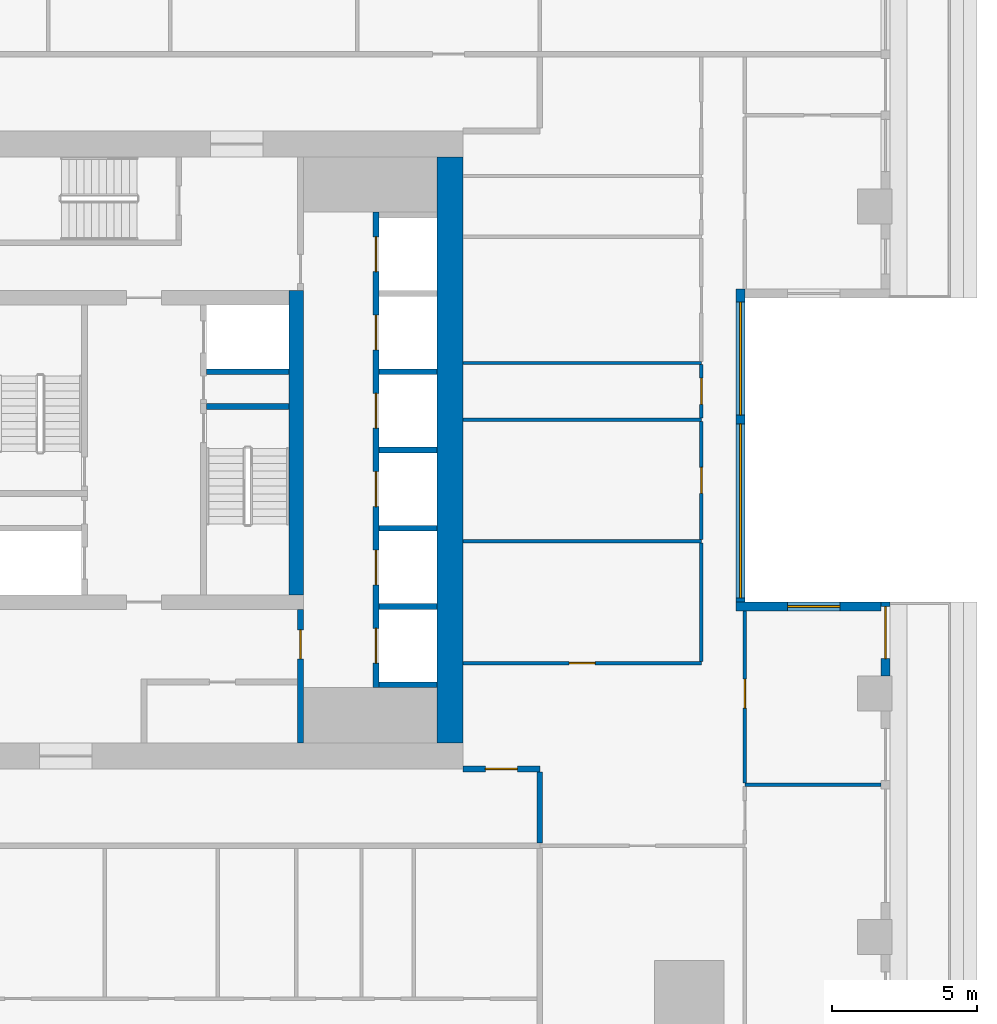
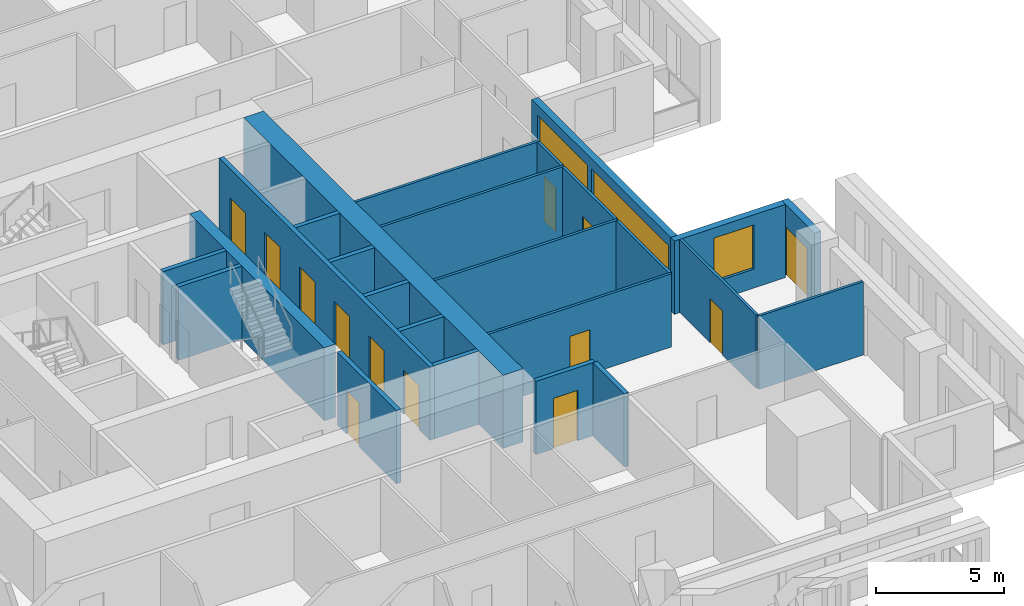
# One storey, part 5 of 15: 25 walls, 13 doors, 3 windows, 16 openings.
"""IFC4 building model written with IfcOpenShell, lengths in metres."""

from ifc_helpers import new_model, si_unit, direction, frame, frame_2d, origin, place, context, subcontext, project, spatial, rectangle, extrude, material, layer, layer_set, type_object, element, fill, save


model = new_model("IFC4")

# Units and contexts
model_context = context("Model", 3, precision=1e-05, world=origin(), true_north=direction((0.0, 1.0)))
body_context = subcontext(model_context, "Body", "Model", "MODEL_VIEW")
ifc_project = project(units=[si_unit("LENGTHUNIT", "METRE"), si_unit("AREAUNIT", "SQUARE_METRE"), si_unit("VOLUMEUNIT", "CUBIC_METRE"), si_unit("PLANEANGLEUNIT", "RADIAN"), si_unit("MASSUNIT", "GRAM", prefix="KILO")], contexts=[model_context])

# Site, building, storey
site_placement = place(None, origin())
site = spatial("IfcSite", under=ifc_project, at=site_placement, CompositionType="ELEMENT")
building_placement = place(site_placement, origin())
building = spatial("IfcBuilding", under=site, at=building_placement, Name="Khepri Terraces", CompositionType="ELEMENT")
storey_placement = place(building_placement, frame((0.0, 0.0, 200.10009765625)))
storey = spatial("IfcBuildingStorey", under=building, at=storey_placement, Name="L47", CompositionType="ELEMENT", Elevation=200.10009765625)

# Wall
ifc_material_1 = material(Name="Concrete C50/60", Category="concrete")
ifc_layer_1 = layer(ifc_material_1, 0.199951171875, Name="Concrete C50/60", Category="concrete")
ifc_layer_set_1 = layer_set([ifc_layer_1], Name="Concrete C50/60")
wall_type_1 = type_object("IfcWallType", Name="Core wall 200 C50/60", PredefinedType="SHEAR", material=ifc_layer_set_1)
wall_1_placement = place(storey_placement, frame((2.14990234375, 1.5, 0.0), z_axis=(0.0, 0.0, 1.0), x_axis=(1.0, 0.0, 0.0)))
element("IfcWall", 1, at=wall_1_placement, inside=storey, type_object=wall_type_1, Name="Core wall ST04 L47", PredefinedType="SHEAR", context=body_context, shape_type="SweptSolid", body=[
    extrude(rectangle(XDim=2.85009765625, YDim=0.199951171875, at=frame_2d((1.425048828125, 0.0))), origin(), (0.0, 0.0, 1.0), 3.47998046875),
])

# Wall, openings, doors
wall_2_placement = place(storey_placement, frame((8.0, -8.199951171875, 0.0), z_axis=(0.0, 0.0, 1.0), x_axis=(0.0, 1.0, 0.0)))
wall_2 = element("IfcWall", 2, at=wall_2_placement, inside=storey, type_object=wall_type_1, Name="Core wall SH02 L47", PredefinedType="SHEAR", context=body_context, shape_type="SweptSolid", body=[
    extrude(rectangle(XDim=16.39990234375, YDim=0.199951171875, at=frame_2d((8.199951171875, 0.0))), origin(), (0.0, 0.0, 1.0), 3.47998046875),
])
opening_1_placement = place(wall_2_placement, frame((0.85009765625, 0.0, 0.0)))
opening_1 = element("IfcOpeningElement", 3, at=opening_1_placement, cuts=wall_2, Name="Opening L47-C01", PredefinedType="OPENING", context=body_context, shape_type="SweptSolid", body=[
    extrude(rectangle(XDim=1.199951171875, YDim=2.10009765625, at=frame_2d((0.60009765625, 1.050048828125))), frame((0.0, 0.10986328125, 0.0), z_axis=(0.0, -1.0, 0.0), x_axis=(1.0, 0.0, 0.0)), (0.0, 0.0, 1.0), 0.219970703125),
])
opening_2_placement = place(wall_2_placement, frame((3.550048828125, 0.0, 0.0)))
opening_2 = element("IfcOpeningElement", 4, at=opening_2_placement, cuts=wall_2, Name="Opening L47-C02", PredefinedType="OPENING", context=body_context, shape_type="SweptSolid", body=[
    extrude(rectangle(XDim=1.199951171875, YDim=2.10009765625, at=frame_2d((0.60009765625, 1.050048828125))), frame((0.0, 0.10986328125, 0.0), z_axis=(0.0, -1.0, 0.0), x_axis=(1.0, 0.0, 0.0)), (0.0, 0.0, 1.0), 0.219970703125),
])
opening_3_placement = place(wall_2_placement, frame((6.25, 0.0, 0.0)))
opening_3 = element("IfcOpeningElement", 5, at=opening_3_placement, cuts=wall_2, Name="Opening L47-C03", PredefinedType="OPENING", context=body_context, shape_type="SweptSolid", body=[
    extrude(rectangle(XDim=1.199951171875, YDim=2.10009765625, at=frame_2d((0.60009765625, 1.050048828125))), frame((0.0, 0.10986328125, 0.0), z_axis=(0.0, -1.0, 0.0), x_axis=(1.0, 0.0, 0.0)), (0.0, 0.0, 1.0), 0.219970703125),
])
opening_4_placement = place(wall_2_placement, frame((8.949951171875, 0.0, 0.0)))
opening_4 = element("IfcOpeningElement", 6, at=opening_4_placement, cuts=wall_2, Name="Opening L47-C04", PredefinedType="OPENING", context=body_context, shape_type="SweptSolid", body=[
    extrude(rectangle(XDim=1.199951171875, YDim=2.10009765625, at=frame_2d((0.60009765625, 1.050048828125))), frame((0.0, 0.10986328125, 0.0), z_axis=(0.0, -1.0, 0.0), x_axis=(1.0, 0.0, 0.0)), (0.0, 0.0, 1.0), 0.219970703125),
])
opening_5_placement = place(wall_2_placement, frame((11.64990234375, 0.0, 0.0)))
opening_5 = element("IfcOpeningElement", 7, at=opening_5_placement, cuts=wall_2, Name="Opening L47-C05", PredefinedType="OPENING", context=body_context, shape_type="SweptSolid", body=[
    extrude(rectangle(XDim=1.199951171875, YDim=2.10009765625, at=frame_2d((0.60009765625, 1.050048828125))), frame((0.0, 0.10986328125, 0.0), z_axis=(0.0, -1.0, 0.0), x_axis=(1.0, 0.0, 0.0)), (0.0, 0.0, 1.0), 0.219970703125),
])
opening_6_placement = place(wall_2_placement, frame((14.35009765625, 0.0, 0.0)))
opening_6 = element("IfcOpeningElement", 8, at=opening_6_placement, cuts=wall_2, Name="Opening L47-C06", PredefinedType="OPENING", context=body_context, shape_type="SweptSolid", body=[
    extrude(rectangle(XDim=1.199951171875, YDim=2.10009765625, at=frame_2d((0.60009765625, 1.050048828125))), frame((0.0, 0.10986328125, 0.0), z_axis=(0.0, -1.0, 0.0), x_axis=(1.0, 0.0, 0.0)), (0.0, 0.0, 1.0), 0.219970703125),
])
ifc_material_2 = material(Name="Stainless steel 304", Category="steel")
door_type_1 = type_object("IfcDoorType", Name="DR-CORE-LANDING-1200", OperationType="NOTDEFINED", PredefinedType="DOOR", material=ifc_material_2)
door_1_placement = place(opening_1_placement, origin())
door_1 = element("IfcDoor", 9, at=door_1_placement, inside=storey, type_object=door_type_1, Name="Lift landing door L47-C01", OperationType="SLIDING_TO_LEFT", OverallHeight=2.10009765625, OverallWidth=1.199951171875, PredefinedType="DOOR", context=body_context, shape_type="SweptSolid", body=[
    extrude(rectangle(XDim=1.199951171875, YDim=2.10009765625, at=frame_2d((0.60009765625, 1.050048828125))), frame((0.0, 0.02490234375, 0.0), z_axis=(0.0, -1.0, 0.0), x_axis=(1.0, 0.0, 0.0)), (0.0, 0.0, 1.0), 0.050048828125),
])
fill(opening_1, door_1)
door_2_placement = place(opening_2_placement, origin())
door_2 = element("IfcDoor", 10, at=door_2_placement, inside=storey, type_object=door_type_1, Name="Lift landing door L47-C02", OperationType="SLIDING_TO_LEFT", OverallHeight=2.10009765625, OverallWidth=1.199951171875, PredefinedType="DOOR", context=body_context, shape_type="SweptSolid", body=[
    extrude(rectangle(XDim=1.199951171875, YDim=2.10009765625, at=frame_2d((0.60009765625, 1.050048828125))), frame((0.0, 0.02490234375, 0.0), z_axis=(0.0, -1.0, 0.0), x_axis=(1.0, 0.0, 0.0)), (0.0, 0.0, 1.0), 0.050048828125),
])
fill(opening_2, door_2)
door_3_placement = place(opening_3_placement, origin())
door_3 = element("IfcDoor", 11, at=door_3_placement, inside=storey, type_object=door_type_1, Name="Lift landing door L47-C03", OperationType="SLIDING_TO_LEFT", OverallHeight=2.10009765625, OverallWidth=1.199951171875, PredefinedType="DOOR", context=body_context, shape_type="SweptSolid", body=[
    extrude(rectangle(XDim=1.199951171875, YDim=2.10009765625, at=frame_2d((0.60009765625, 1.050048828125))), frame((0.0, 0.02490234375, 0.0), z_axis=(0.0, -1.0, 0.0), x_axis=(1.0, 0.0, 0.0)), (0.0, 0.0, 1.0), 0.050048828125),
])
fill(opening_3, door_3)
door_4_placement = place(opening_4_placement, origin())
door_4 = element("IfcDoor", 12, at=door_4_placement, inside=storey, type_object=door_type_1, Name="Lift landing door L47-C04", OperationType="SLIDING_TO_LEFT", OverallHeight=2.10009765625, OverallWidth=1.199951171875, PredefinedType="DOOR", context=body_context, shape_type="SweptSolid", body=[
    extrude(rectangle(XDim=1.199951171875, YDim=2.10009765625, at=frame_2d((0.60009765625, 1.050048828125))), frame((0.0, 0.02490234375, 0.0), z_axis=(0.0, -1.0, 0.0), x_axis=(1.0, 0.0, 0.0)), (0.0, 0.0, 1.0), 0.050048828125),
])
fill(opening_4, door_4)
door_5_placement = place(opening_5_placement, origin())
door_5 = element("IfcDoor", 13, at=door_5_placement, inside=storey, type_object=door_type_1, Name="Lift landing door L47-C05", OperationType="SLIDING_TO_LEFT", OverallHeight=2.10009765625, OverallWidth=1.199951171875, PredefinedType="DOOR", context=body_context, shape_type="SweptSolid", body=[
    extrude(rectangle(XDim=1.199951171875, YDim=2.10009765625, at=frame_2d((0.60009765625, 1.050048828125))), frame((0.0, 0.02490234375, 0.0), z_axis=(0.0, -1.0, 0.0), x_axis=(1.0, 0.0, 0.0)), (0.0, 0.0, 1.0), 0.050048828125),
])
fill(opening_5, door_5)
door_6_placement = place(opening_6_placement, origin())
door_6 = element("IfcDoor", 14, at=door_6_placement, inside=storey, type_object=door_type_1, Name="Lift landing door L47-C06", OperationType="SLIDING_TO_LEFT", OverallHeight=2.10009765625, OverallWidth=1.199951171875, PredefinedType="DOOR", context=body_context, shape_type="SweptSolid", body=[
    extrude(rectangle(XDim=1.199951171875, YDim=2.10009765625, at=frame_2d((0.60009765625, 1.050048828125))), frame((0.0, 0.02490234375, 0.0), z_axis=(0.0, -1.0, 0.0), x_axis=(1.0, 0.0, 0.0)), (0.0, 0.0, 1.0), 0.050048828125),
])
fill(opening_6, door_6)

# Walls
for number, where, z_axis, x_axis, name in (
    (15, (8.10009765625, -8.10009765625, 0.0), (0.0, 0.0, 1.0), (1.0, 0.0, 0.0), "Core wall SH03 L47"),
    (16, (8.10009765625, -5.39990234375, 0.0), (0.0, 0.0, 1.0), (1.0, 0.0, 0.0), "Core wall SH04 L47"),
    (17, (8.10009765625, -2.699951171875, 0.0), (0.0, 0.0, 1.0), (1.0, 0.0, 0.0), "Core wall SH08 L47"),
    (18, (8.10009765625, 0.0, 0.0), (0.0, 0.0, 1.0), (1.0, 0.0, 0.0), "Core wall SH09 L47"),
):
    element("IfcWall", number, at=place(storey_placement, frame(where, z_axis=z_axis, x_axis=x_axis)), inside=storey, type_object=wall_type_1, Name=name, PredefinedType="SHEAR", context=body_context, shape_type="SweptSolid", body=[
        extrude(rectangle(XDim=2.0, YDim=0.199951171875, at=frame_2d((1.0, 0.0))), origin(), (0.0, 0.0, 1.0), 3.47998046875),
    ])
wall_3_placement = place(storey_placement, frame((2.14990234375, 2.699951171875, 0.0), z_axis=(0.0, 0.0, 1.0), x_axis=(1.0, 0.0, 0.0)))
element("IfcWall", 19, at=wall_3_placement, inside=storey, type_object=wall_type_1, Name="Core wall SH12 L47", PredefinedType="SHEAR", context=body_context, shape_type="SweptSolid", body=[
    extrude(rectangle(XDim=2.85009765625, YDim=0.199951171875, at=frame_2d((1.425048828125, 0.0))), origin(), (0.0, 0.0, 1.0), 3.47998046875),
])
wall_4_placement = place(storey_placement, frame((8.10009765625, 2.699951171875, 0.0), z_axis=(0.0, 0.0, 1.0), x_axis=(1.0, 0.0, 0.0)))
element("IfcWall", 20, at=wall_4_placement, inside=storey, type_object=wall_type_1, Name="Core wall SH13 L47", PredefinedType="SHEAR", context=body_context, shape_type="SweptSolid", body=[
    extrude(rectangle(XDim=2.0, YDim=0.199951171875, at=frame_2d((1.0, 0.0))), origin(), (0.0, 0.0, 1.0), 3.47998046875),
])
ifc_layer_2 = layer(ifc_material_1, 0.5, Name="Concrete C50/60", Category="concrete")
ifc_layer_set_2 = layer_set([ifc_layer_2], Name="Concrete C50/60")
wall_type_2 = type_object("IfcWallType", Name="Core wall 500 C50/60", PredefinedType="SHEAR", material=ifc_layer_set_2)
wall_5_placement = place(storey_placement, frame((5.25, -5.0, 0.0), z_axis=(0.0, 0.0, 1.0), x_axis=(0.0, 1.0, 0.0)))
element("IfcWall", 21, at=wall_5_placement, inside=storey, type_object=wall_type_2, Name="Core wall BX03 L47", PredefinedType="SHEAR", context=body_context, shape_type="SweptSolid", body=[
    extrude(rectangle(XDim=10.5, YDim=0.5, at=frame_2d((5.25, 0.0))), origin(), (0.0, 0.0, 1.0), 3.47998046875),
])
ifc_layer_3 = layer(ifc_material_1, 0.89990234375, Name="Concrete C50/60", Category="concrete")
ifc_layer_set_3 = layer_set([ifc_layer_3], Name="Concrete C50/60")
wall_type_3 = type_object("IfcWallType", Name="Core wall 900 C50/60", PredefinedType="SHEAR", material=ifc_layer_set_3)
wall_6_placement = place(storey_placement, frame((10.550048828125, -10.10009765625, 0.0), z_axis=(0.0, 0.0, 1.0), x_axis=(0.0, 1.0, 0.0)))
element("IfcWall", 22, at=wall_6_placement, inside=storey, type_object=wall_type_3, Name="Core wall OW-E L47", PredefinedType="SHEAR", context=body_context, shape_type="SweptSolid", body=[
    extrude(rectangle(XDim=20.2001953125, YDim=0.89990234375, at=frame_2d((10.10009765625, 0.0))), origin(), (0.0, 0.0, 1.0), 3.47998046875),
])

# Wall, opening, door
ifc_material_3 = material(Name="Fire-rated gypsum board partition")
ifc_layer_4 = layer(ifc_material_3, 0.199951171875, Name="Fire-rated gypsum board partition")
ifc_layer_set_4 = layer_set([ifc_layer_4], Name="Fire-rated gypsum board partition")
wall_type_4 = type_object("IfcWallType", Name="WL-CORE-PART-200", PredefinedType="PARTITIONING", material=ifc_layer_set_4)
wall_7_placement = place(storey_placement, frame((5.39990234375, -10.10009765625, 0.0), z_axis=(0.0, 0.0, 1.0), x_axis=(0.0, 1.0, 0.0)))
wall_7 = element("IfcWall", 23, at=wall_7_placement, inside=storey, type_object=wall_type_4, Name="Core partition PT03 L47", PredefinedType="PARTITIONING", context=body_context, shape_type="SweptSolid", body=[
    extrude(rectangle(XDim=4.60009765625, YDim=0.199951171875, at=frame_2d((2.300048828125, 0.0))), origin(), (0.0, 0.0, 1.0), 3.47998046875),
])
opening_7_placement = place(wall_7_placement, frame((2.89990234375, 0.0, 0.0)))
opening_7 = element("IfcOpeningElement", 24, at=opening_7_placement, cuts=wall_7, Name="Opening L47-C19", PredefinedType="OPENING", context=body_context, shape_type="SweptSolid", body=[
    extrude(rectangle(XDim=1.0, YDim=2.10009765625, at=frame_2d((0.5, 1.050048828125))), frame((0.0, 0.10986328125, 0.0), z_axis=(0.0, -1.0, 0.0), x_axis=(1.0, 0.0, 0.0)), (0.0, 0.0, 1.0), 0.219970703125),
])
ifc_material_4 = material(Name="Painted steel", Category="steel")
door_type_2 = type_object("IfcDoorType", Name="DR-CORE-LOBBY-1000", OperationType="NOTDEFINED", PredefinedType="DOOR", material=ifc_material_4)
door_7_placement = place(opening_7_placement, origin())
door_7 = element("IfcDoor", 25, at=door_7_placement, inside=storey, type_object=door_type_2, Name="Lobby door L47-C19", OperationType="SINGLE_SWING_RIGHT", OverallHeight=2.10009765625, OverallWidth=1.0, PredefinedType="DOOR", context=body_context, shape_type="SweptSolid", body=[
    extrude(rectangle(XDim=1.0, YDim=2.10009765625, at=frame_2d((0.5, 1.050048828125))), frame((0.0, 0.02490234375, 0.0), z_axis=(0.0, -1.0, 0.0), x_axis=(1.0, 0.0, 0.0)), (0.0, 0.0, 1.0), 0.050048828125),
])
fill(opening_7, door_7)

# Wall
ifc_material_5 = material(Name="Fire-rated gypsum plasterboard partition, mineral wool")
ifc_layer_5 = layer(ifc_material_5, 0.199951171875, Name="Fire-rated gypsum plasterboard partition, mineral wool")
ifc_layer_set_5 = layer_set([ifc_layer_5], Name="Fire-rated gypsum plasterboard partition, mineral wool")
wall_type_5 = type_object("IfcWallType", Name="WL-CORR-200", PredefinedType="PARTITIONING", material=ifc_layer_set_5)
wall_8_placement = place(storey_placement, frame((13.64990234375, -13.550048828125, 0.0), z_axis=(0.0, 0.0, 1.0), x_axis=(0.0, 1.0, 0.0)))
element("IfcWall", 26, at=wall_8_placement, inside=storey, type_object=wall_type_5, Name="Partition P-026 L47", PredefinedType="PARTITIONING", context=body_context, shape_type="SweptSolid", body=[
    extrude(rectangle(XDim=2.449951171875, YDim=0.199951171875, at=frame_2d((1.22509765625, 0.0))), origin(), (0.0, 0.0, 1.0), 3.47998046875),
])

# Wall, opening, door
wall_9_placement = place(storey_placement, frame((11.0, -11.0, 0.0), z_axis=(0.0, 0.0, 1.0), x_axis=(1.0, 0.0, 0.0)))
wall_9 = element("IfcWall", 27, at=wall_9_placement, inside=storey, type_object=wall_type_5, Name="Partition P-033 L47", PredefinedType="PARTITIONING", context=body_context, shape_type="SweptSolid", body=[
    extrude(rectangle(XDim=2.64990234375, YDim=0.199951171875, at=frame_2d((1.324951171875, 0.0))), origin(), (0.0, 0.0, 1.0), 3.47998046875),
])
opening_8_placement = place(wall_9_placement, frame((0.77490234375, 0.0, 0.0)))
opening_8 = element("IfcOpeningElement", 28, at=opening_8_placement, cuts=wall_9, Name="Opening D1", PredefinedType="OPENING", context=body_context, shape_type="SweptSolid", body=[
    extrude(rectangle(XDim=1.10009765625, YDim=2.39990234375, at=frame_2d((0.550048828125, 1.199951171875))), frame((0.0, 0.10986328125, 0.0), z_axis=(0.0, -1.0, 0.0), x_axis=(1.0, 0.0, 0.0)), (0.0, 0.0, 1.0), 0.219970703125),
])
ifc_material_6 = material(Name="Solid-core timber door leaf, flat entrance door", Category="wood")
door_type_3 = type_object("IfcDoorType", Name="DR-ENT-1100", OperationType="NOTDEFINED", PredefinedType="DOOR", material=ifc_material_6)
door_8_placement = place(opening_8_placement, origin())
door_8 = element("IfcDoor", 29, at=door_8_placement, inside=storey, type_object=door_type_3, Name="Flat B1 entrance door", OperationType="SINGLE_SWING_LEFT", OverallHeight=2.39990234375, OverallWidth=1.10009765625, PredefinedType="DOOR", context=body_context, shape_type="SweptSolid", body=[
    extrude(rectangle(XDim=1.10009765625, YDim=2.39990234375, at=frame_2d((0.550048828125, 1.199951171875))), frame((0.0, 0.02490234375, 0.0), z_axis=(0.0, -1.0, 0.0), x_axis=(1.0, 0.0, 0.0)), (0.0, 0.0, 1.0), 0.050048828125),
])
fill(opening_8, door_8)

ifc_material_7 = material(Name="Precast concrete C50/60 warm stone", Category="masonry")
ifc_layer_6 = layer(ifc_material_7, 0.300048828125, Name="Precast concrete C50/60 warm stone", Category="masonry")
ifc_layer_set_6 = layer_set([ifc_layer_6], Name="Precast concrete C50/60 warm stone")
wall_type_6 = type_object("IfcWallType", Name="WL-EXT-PRECAST-300", PredefinedType="STANDARD", material=ifc_layer_set_6)
wall_10_placement = place(storey_placement, frame((25.570068359375, -7.800048828125, 0.0), z_axis=(0.0, 0.0, 1.0), x_axis=(0.0, 1.0, 0.0)))
wall_10 = element("IfcWall", 30, at=wall_10_placement, inside=storey, type_object=wall_type_6, Name="External wall L47 E", PredefinedType="STANDARD", context=body_context, shape_type="SweptSolid", body=[
    extrude(rectangle(XDim=2.550048828125, YDim=0.300048828125, at=frame_2d((1.27490234375, 0.0))), origin(), (0.0, 0.0, 1.0), 3.47998046875),
])
opening_9_placement = place(wall_10_placement, frame((0.60009765625, 0.0, 0.0)))
opening_9 = element("IfcOpeningElement", 31, at=opening_9_placement, cuts=wall_10, Name="Opening ED-L47-04", PredefinedType="OPENING", context=body_context, shape_type="SweptSolid", body=[
    extrude(rectangle(XDim=1.800048828125, YDim=2.39990234375, at=frame_2d((0.89990234375, 1.199951171875))), frame((0.0, 0.16015625, 0.0), z_axis=(0.0, -1.0, 0.0), x_axis=(1.0, 0.0, 0.0)), (0.0, 0.0, 1.0), 0.320068359375),
])
ifc_material_8 = material(Name="Anodised aluminium bronze glazed door", Category="aluminium")
door_type_4 = type_object("IfcDoorType", Name="DR-BAL-SLIDE-1800x2400", OperationType="NOTDEFINED", PredefinedType="DOOR", material=ifc_material_8)
door_9_placement = place(opening_9_placement, origin())
door_9 = element("IfcDoor", 32, at=door_9_placement, inside=storey, type_object=door_type_4, Name="Balcony door L47 E", OperationType="SLIDING_TO_LEFT", OverallHeight=2.39990234375, OverallWidth=1.800048828125, PredefinedType="DOOR", context=body_context, shape_type="SweptSolid", body=[
    extrude(rectangle(XDim=1.800048828125, YDim=2.39990234375, at=frame_2d((0.89990234375, 1.199951171875))), frame((0.0, 0.02490234375, 0.0), z_axis=(0.0, -1.0, 0.0), x_axis=(1.0, 0.0, 0.0)), (0.0, 0.0, 1.0), 0.050048828125),
])
fill(opening_9, door_9)

# Wall, opening, window
wall_11_placement = place(storey_placement, frame((25.419921875, -5.39990234375, 0.0), z_axis=(0.0, 0.0, 1.0), x_axis=(-1.0, 0.0, 0.0)))
wall_11 = element("IfcWall", 33, at=wall_11_placement, inside=storey, type_object=wall_type_6, Name="External wall L47 N", PredefinedType="STANDARD", context=body_context, shape_type="SweptSolid", body=[
    extrude(rectangle(XDim=5.0, YDim=0.300048828125, at=frame_2d((2.5, 0.0))), origin(), (0.0, 0.0, 1.0), 3.47998046875),
])
opening_10_placement = place(wall_11_placement, frame((1.419921875, 0.0, 0.89990234375)))
opening_10 = element("IfcOpeningElement", 34, at=opening_10_placement, cuts=wall_11, Name="Opening W1", PredefinedType="OPENING", context=body_context, shape_type="SweptSolid", body=[
    extrude(rectangle(XDim=1.800048828125, YDim=2.10009765625, at=frame_2d((0.89990234375, 1.050048828125))), frame((0.0, 0.16015625, 0.0), z_axis=(0.0, -1.0, 0.0), x_axis=(1.0, 0.0, 0.0)), (0.0, 0.0, 1.0), 0.320068359375),
])
ifc_material_9 = material(Name="Clear glass", Category="glass")
window_type_1 = type_object("IfcWindowType", Name="WIN-RES-1800x2100", PartitioningType="SINGLE_PANEL", PredefinedType="WINDOW", material=ifc_material_9)
window_1_placement = place(opening_10_placement, origin())
window_1 = element("IfcWindow", 35, at=window_1_placement, inside=storey, type_object=window_type_1, Name="Window L47 N", OverallHeight=2.10009765625, OverallWidth=1.800048828125, PartitioningType="SINGLE_PANEL", PredefinedType="WINDOW", context=body_context, shape_type="SweptSolid", body=[
    extrude(rectangle(XDim=1.800048828125, YDim=2.10009765625, at=frame_2d((0.89990234375, 1.050048828125))), frame((0.0, 0.030029296875, 0.0), z_axis=(0.0, -1.0, 0.0), x_axis=(1.0, 0.0, 0.0)), (0.0, 0.0, 1.0), 0.06005859375),
])
fill(opening_10, window_1)

# Wall, openings, windows
wall_12_placement = place(storey_placement, frame((20.570068359375, -5.25, 0.0), z_axis=(0.0, 0.0, 1.0), x_axis=(0.0, 1.0, 0.0)))
wall_12 = element("IfcWall", 36, at=wall_12_placement, inside=storey, type_object=wall_type_6, Name="External wall L47 E", PredefinedType="STANDARD", context=body_context, shape_type="SweptSolid", body=[
    extrude(rectangle(XDim=10.800048828125, YDim=0.300048828125, at=frame_2d((5.39990234375, 0.0))), origin(), (0.0, 0.0, 1.0), 3.47998046875),
])
opening_11_placement = place(wall_12_placement, frame((0.14990234375, 0.0, 0.89990234375)))
opening_11 = element("IfcOpeningElement", 37, at=opening_11_placement, cuts=wall_12, Name="Opening W3", PredefinedType="OPENING", context=body_context, shape_type="SweptSolid", body=[
    extrude(rectangle(XDim=6.0, YDim=2.10009765625, at=frame_2d((3.0, 1.050048828125))), frame((0.0, 0.16015625, 0.0), z_axis=(0.0, -1.0, 0.0), x_axis=(1.0, 0.0, 0.0)), (0.0, 0.0, 1.0), 0.320068359375),
])
opening_12_placement = place(wall_12_placement, frame((6.449951171875, 0.0, 0.89990234375)))
opening_12 = element("IfcOpeningElement", 38, at=opening_12_placement, cuts=wall_12, Name="Opening W2", PredefinedType="OPENING", context=body_context, shape_type="SweptSolid", body=[
    extrude(rectangle(XDim=3.89990234375, YDim=2.10009765625, at=frame_2d((1.949951171875, 1.050048828125))), frame((0.0, 0.16015625, 0.0), z_axis=(0.0, -1.0, 0.0), x_axis=(1.0, 0.0, 0.0)), (0.0, 0.0, 1.0), 0.320068359375),
])
window_type_2 = type_object("IfcWindowType", Name="WIN-RES-3900x2100", PartitioningType="SINGLE_PANEL", PredefinedType="WINDOW", material=ifc_material_9)
window_2_placement = place(opening_12_placement, origin())
window_2 = element("IfcWindow", 39, at=window_2_placement, inside=storey, type_object=window_type_2, Name="Window L47 E", OverallHeight=2.10009765625, OverallWidth=3.89990234375, PartitioningType="SINGLE_PANEL", PredefinedType="WINDOW", context=body_context, shape_type="SweptSolid", body=[
    extrude(rectangle(XDim=3.89990234375, YDim=2.10009765625, at=frame_2d((1.949951171875, 1.050048828125))), frame((0.0, 0.030029296875, 0.0), z_axis=(0.0, -1.0, 0.0), x_axis=(1.0, 0.0, 0.0)), (0.0, 0.0, 1.0), 0.06005859375),
])
fill(opening_12, window_2)
window_type_3 = type_object("IfcWindowType", Name="WIN-RES-6000x2100", PartitioningType="SINGLE_PANEL", PredefinedType="WINDOW", material=ifc_material_9)
window_3_placement = place(opening_11_placement, origin())
window_3 = element("IfcWindow", 40, at=window_3_placement, inside=storey, type_object=window_type_3, Name="Window L47 E", OverallHeight=2.10009765625, OverallWidth=6.0, PartitioningType="SINGLE_PANEL", PredefinedType="WINDOW", context=body_context, shape_type="SweptSolid", body=[
    extrude(rectangle(XDim=6.0, YDim=2.10009765625, at=frame_2d((3.0, 1.050048828125))), frame((0.0, 0.030029296875, 0.0), z_axis=(0.0, -1.0, 0.0), x_axis=(1.0, 0.0, 0.0)), (0.0, 0.0, 1.0), 0.06005859375),
])
fill(opening_11, window_3)

# Wall
ifc_material_10 = material(Name="Gypsum plasterboard partition")
ifc_layer_7 = layer(ifc_material_10, 0.1201171875, Name="Gypsum plasterboard partition")
ifc_layer_set_7 = layer_set([ifc_layer_7], Name="Gypsum plasterboard partition")
wall_type_7 = type_object("IfcWallType", Name="WL-PART-120", PredefinedType="PARTITIONING", material=ifc_layer_set_7)
wall_13_placement = place(storey_placement, frame((20.719970703125, -11.550048828125, 0.0), z_axis=(0.0, 0.0, 1.0), x_axis=(1.0, 0.0, 0.0)))
element("IfcWall", 41, at=wall_13_placement, inside=storey, type_object=wall_type_7, Name="Partition P-029 L47", PredefinedType="PARTITIONING", context=body_context, shape_type="SweptSolid", body=[
    extrude(rectangle(XDim=4.699951171875, YDim=0.1201171875, at=frame_2d((2.35009765625, 0.0))), origin(), (0.0, 0.0, 1.0), 3.47998046875),
])

# Wall, opening, door
wall_14_placement = place(storey_placement, frame((20.719970703125, -11.489990234375, 0.0), z_axis=(0.0, 0.0, 1.0), x_axis=(0.0, 1.0, 0.0)))
wall_14 = element("IfcWall", 42, at=wall_14_placement, inside=storey, type_object=wall_type_7, Name="Partition P-032 L47", PredefinedType="PARTITIONING", context=body_context, shape_type="SweptSolid", body=[
    extrude(rectangle(XDim=5.93994140625, YDim=0.1201171875, at=frame_2d((2.969970703125, 0.0))), origin(), (0.0, 0.0, 1.0), 3.47998046875),
])
opening_13_placement = place(wall_14_placement, frame((2.590087890625, 0.0, 0.0)))
opening_13 = element("IfcOpeningElement", 43, at=opening_13_placement, cuts=wall_14, Name="Opening D2", PredefinedType="OPENING", context=body_context, shape_type="SweptSolid", body=[
    extrude(rectangle(XDim=1.0, YDim=2.10009765625, at=frame_2d((0.5, 1.050048828125))), frame((0.0, 0.070068359375, 0.0), z_axis=(0.0, -1.0, 0.0), x_axis=(1.0, 0.0, 0.0)), (0.0, 0.0, 1.0), 0.14013671875),
])
ifc_material_11 = material(Name="Timber door leaf, living room door", Category="wood")
door_type_5 = type_object("IfcDoorType", Name="DR-INT-1000", OperationType="NOTDEFINED", PredefinedType="DOOR", material=ifc_material_11)
door_10_placement = place(opening_13_placement, frame((1.0, 0.0, 0.0), z_axis=(0.0, 0.0, 1.0), x_axis=(-1.0, 0.0, 0.0)))
door_10 = element("IfcDoor", 44, at=door_10_placement, inside=storey, type_object=door_type_5, Name="Door Sun Lounge", OperationType="SINGLE_SWING_LEFT", OverallHeight=2.10009765625, OverallWidth=1.0, PredefinedType="DOOR", context=body_context, shape_type="SweptSolid", body=[
    extrude(rectangle(XDim=1.0, YDim=2.10009765625, at=frame_2d((0.5, 1.050048828125))), frame((0.0, 0.02490234375, 0.0), z_axis=(0.0, -1.0, 0.0), x_axis=(1.0, 0.0, 0.0)), (0.0, 0.0, 1.0), 0.050048828125),
])
fill(opening_13, door_10)

wall_15_placement = place(storey_placement, frame((11.0, -7.35009765625, 0.0), z_axis=(0.0, 0.0, 1.0), x_axis=(1.0, 0.0, 0.0)))
wall_15 = element("IfcWall", 45, at=wall_15_placement, inside=storey, type_object=wall_type_7, Name="Partition P-037 L47", PredefinedType="PARTITIONING", context=body_context, shape_type="SweptSolid", body=[
    extrude(rectangle(XDim=8.219970703125, YDim=0.1201171875, at=frame_2d((4.10986328125, 0.0))), origin(), (0.0, 0.0, 1.0), 3.47998046875),
])
opening_14_placement = place(wall_15_placement, frame((3.659912109375, 0.0, 0.0)))
opening_14 = element("IfcOpeningElement", 46, at=opening_14_placement, cuts=wall_15, Name="Opening D3", PredefinedType="OPENING", context=body_context, shape_type="SweptSolid", body=[
    extrude(rectangle(XDim=0.89990234375, YDim=2.10009765625, at=frame_2d((0.449951171875, 1.050048828125))), frame((0.0, 0.070068359375, 0.0), z_axis=(0.0, -1.0, 0.0), x_axis=(1.0, 0.0, 0.0)), (0.0, 0.0, 1.0), 0.14013671875),
])
ifc_material_12 = material(Name="Timber door leaf", Category="wood")
door_type_6 = type_object("IfcDoorType", Name="DR-INT-900", OperationType="NOTDEFINED", PredefinedType="DOOR", material=ifc_material_12)
door_11_placement = place(opening_14_placement, origin())
door_11 = element("IfcDoor", 47, at=door_11_placement, inside=storey, type_object=door_type_6, Name="Door Kitchen", OperationType="SINGLE_SWING_RIGHT", OverallHeight=2.10009765625, OverallWidth=0.89990234375, PredefinedType="DOOR", context=body_context, shape_type="SweptSolid", body=[
    extrude(rectangle(XDim=0.89990234375, YDim=2.10009765625, at=frame_2d((0.449951171875, 1.050048828125))), frame((0.0, 0.02490234375, 0.0), z_axis=(0.0, -1.0, 0.0), x_axis=(1.0, 0.0, 0.0)), (0.0, 0.0, 1.0), 0.050048828125),
])
fill(opening_14, door_11)

# Walls
wall_16_placement = place(storey_placement, frame((19.219970703125, -7.2900390625, 0.0), z_axis=(0.0, 0.0, 1.0), x_axis=(0.0, 1.0, 0.0)))
element("IfcWall", 48, at=wall_16_placement, inside=storey, type_object=wall_type_7, Name="Partition P-039 L47", PredefinedType="PARTITIONING", context=body_context, shape_type="SweptSolid", body=[
    extrude(rectangle(XDim=4.080078125, YDim=0.1201171875, at=frame_2d((2.0400390625, 0.0))), origin(), (0.0, 0.0, 1.0), 3.47998046875),
])
wall_17_placement = place(storey_placement, frame((11.0, -3.14990234375, 0.0), z_axis=(0.0, 0.0, 1.0), x_axis=(1.0, 0.0, 0.0)))
element("IfcWall", 49, at=wall_17_placement, inside=storey, type_object=wall_type_7, Name="Partition P-044 L47", PredefinedType="PARTITIONING", context=body_context, shape_type="SweptSolid", body=[
    extrude(rectangle(XDim=8.219970703125, YDim=0.1201171875, at=frame_2d((4.10986328125, 0.0))), origin(), (0.0, 0.0, 1.0), 3.47998046875),
])

# Wall, opening, door
wall_18_placement = place(storey_placement, frame((19.219970703125, -3.090087890625, 0.0), z_axis=(0.0, 0.0, 1.0), x_axis=(0.0, 1.0, 0.0)))
wall_18 = element("IfcWall", 50, at=wall_18_placement, inside=storey, type_object=wall_type_7, Name="Partition P-047 L47", PredefinedType="PARTITIONING", context=body_context, shape_type="SweptSolid", body=[
    extrude(rectangle(XDim=4.080078125, YDim=0.1201171875, at=frame_2d((2.0400390625, 0.0))), origin(), (0.0, 0.0, 1.0), 3.47998046875),
])
opening_15_placement = place(wall_18_placement, frame((1.590087890625, 0.0, 0.0)))
opening_15 = element("IfcOpeningElement", 51, at=opening_15_placement, cuts=wall_18, Name="Opening D3", PredefinedType="OPENING", context=body_context, shape_type="SweptSolid", body=[
    extrude(rectangle(XDim=0.89990234375, YDim=2.10009765625, at=frame_2d((0.449951171875, 1.050048828125))), frame((0.0, 0.070068359375, 0.0), z_axis=(0.0, -1.0, 0.0), x_axis=(1.0, 0.0, 0.0)), (0.0, 0.0, 1.0), 0.14013671875),
])
door_12_placement = place(opening_15_placement, origin())
door_12 = element("IfcDoor", 52, at=door_12_placement, inside=storey, type_object=door_type_6, Name="Door Service Store", OperationType="SINGLE_SWING_RIGHT", OverallHeight=2.10009765625, OverallWidth=0.89990234375, PredefinedType="DOOR", context=body_context, shape_type="SweptSolid", body=[
    extrude(rectangle(XDim=0.89990234375, YDim=2.10009765625, at=frame_2d((0.449951171875, 1.050048828125))), frame((0.0, 0.02490234375, 0.0), z_axis=(0.0, -1.0, 0.0), x_axis=(1.0, 0.0, 0.0)), (0.0, 0.0, 1.0), 0.050048828125),
])
fill(opening_15, door_12)

# Wall
wall_19_placement = place(storey_placement, frame((11.0, 1.050048828125, 0.0), z_axis=(0.0, 0.0, 1.0), x_axis=(1.0, 0.0, 0.0)))
element("IfcWall", 53, at=wall_19_placement, inside=storey, type_object=wall_type_7, Name="Partition P-049 L47", PredefinedType="PARTITIONING", context=body_context, shape_type="SweptSolid", body=[
    extrude(rectangle(XDim=8.219970703125, YDim=0.1201171875, at=frame_2d((4.10986328125, 0.0))), origin(), (0.0, 0.0, 1.0), 3.47998046875),
])

# Wall, opening, door
wall_20_placement = place(storey_placement, frame((19.219970703125, 1.110107421875, 0.0), z_axis=(0.0, 0.0, 1.0), x_axis=(0.0, 1.0, 0.0)))
wall_20 = element("IfcWall", 54, at=wall_20_placement, inside=storey, type_object=wall_type_7, Name="Partition P-051 L47", PredefinedType="PARTITIONING", context=body_context, shape_type="SweptSolid", body=[
    extrude(rectangle(XDim=1.829833984375, YDim=0.1201171875, at=frame_2d((0.9150390625, 0.0))), origin(), (0.0, 0.0, 1.0), 3.47998046875),
])
opening_16_placement = place(wall_20_placement, frame((0.465087890625, 0.0, 0.0)))
opening_16 = element("IfcOpeningElement", 55, at=opening_16_placement, cuts=wall_20, Name="Opening D4", PredefinedType="OPENING", context=body_context, shape_type="SweptSolid", body=[
    extrude(rectangle(XDim=0.89990234375, YDim=2.10009765625, at=frame_2d((0.449951171875, 1.050048828125))), frame((0.0, 0.070068359375, 0.0), z_axis=(0.0, -1.0, 0.0), x_axis=(1.0, 0.0, 0.0)), (0.0, 0.0, 1.0), 0.14013671875),
])
ifc_material_13 = material(Name="Timber door leaf, moisture resistant", Category="wood")
door_type_7 = type_object("IfcDoorType", Name="DR-WET-900", OperationType="NOTDEFINED", PredefinedType="DOOR", material=ifc_material_13)
door_13_placement = place(opening_16_placement, origin())
door_13 = element("IfcDoor", 56, at=door_13_placement, inside=storey, type_object=door_type_7, Name="Door Powder Room", OperationType="SINGLE_SWING_LEFT", OverallHeight=2.10009765625, OverallWidth=0.89990234375, PredefinedType="DOOR", context=body_context, shape_type="SweptSolid", body=[
    extrude(rectangle(XDim=0.89990234375, YDim=2.10009765625, at=frame_2d((0.449951171875, 1.050048828125))), frame((0.0, 0.02490234375, 0.0), z_axis=(0.0, -1.0, 0.0), x_axis=(1.0, 0.0, 0.0)), (0.0, 0.0, 1.0), 0.050048828125),
])
fill(opening_16, door_13)

# Wall
wall_21_placement = place(storey_placement, frame((11.0, 3.0, 0.0), z_axis=(0.0, 0.0, 1.0), x_axis=(1.0, 0.0, 0.0)))
element("IfcWall", 57, at=wall_21_placement, inside=storey, type_object=wall_type_7, Name="Partition P-052 L47", PredefinedType="PARTITIONING", context=body_context, shape_type="SweptSolid", body=[
    extrude(rectangle(XDim=8.219970703125, YDim=0.1201171875, at=frame_2d((4.10986328125, 0.0))), origin(), (0.0, 0.0, 1.0), 3.47998046875),
])

save(model, "model.ifc")
